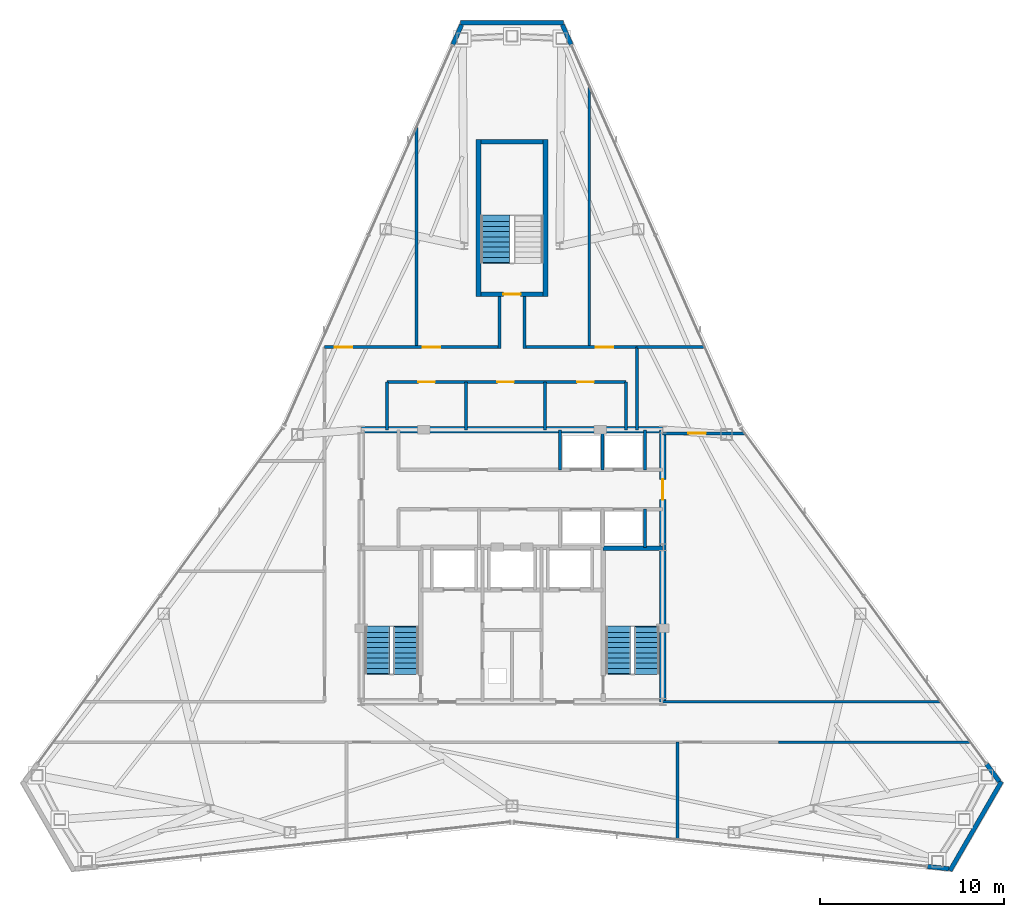
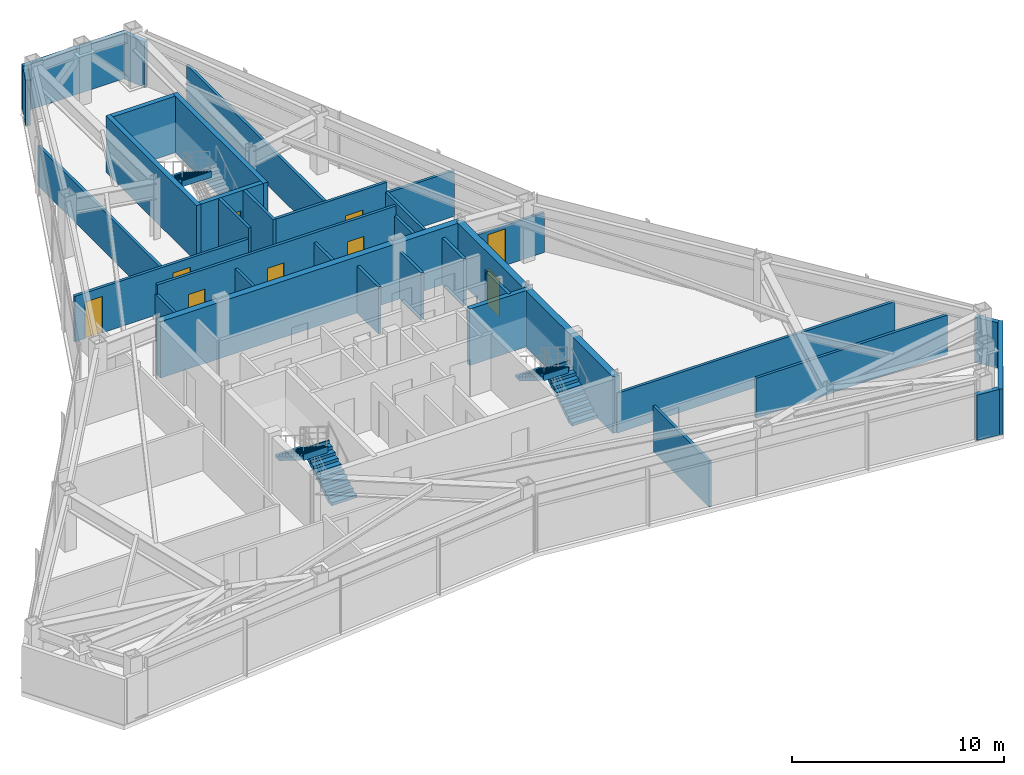
# One storey, part 10 of 12: 34 walls, 9 doors, 5 stair flights, 9 openings, 3 elements without a shape of their own.
"""IFC4 building model written with IfcOpenShell, lengths in metres."""

from ifc_helpers import new_model, si_unit, direction, frame, frame_2d, origin, place, context, subcontext, project, spatial, polyline, rectangle, outline, extrude, material, layer, layer_set, type_object, element, fill, aggregate, save


model = new_model("IFC4")

# Units and contexts
model_context = context("Model", 3, precision=1e-05, world=origin(), true_north=direction((0.0, 1.0)))
body_context = subcontext(model_context, "Body", "Model", "MODEL_VIEW")
ifc_project = project(units=[si_unit("LENGTHUNIT", "METRE"), si_unit("AREAUNIT", "SQUARE_METRE"), si_unit("VOLUMEUNIT", "CUBIC_METRE"), si_unit("PLANEANGLEUNIT", "RADIAN"), si_unit("MASSUNIT", "GRAM", prefix="KILO")], contexts=[model_context])

# Site, building, storey
site_placement = place(None, origin())
site = spatial("IfcSite", under=ifc_project, at=site_placement, CompositionType="ELEMENT")
building_placement = place(site_placement, origin())
building = spatial("IfcBuilding", under=site, at=building_placement, Name="Varakhsha Concourse Tower", CompositionType="ELEMENT")
storey_placement = place(building_placement, frame((0.0, 0.0, 269.0)))
storey = spatial("IfcBuildingStorey", under=building, at=storey_placement, Name="L76", CompositionType="ELEMENT", Elevation=269.0)

# Wall
ifc_material_1 = material(Name="Concrete fc 65 MPa", Category="concrete")
ifc_layer_1 = layer(ifc_material_1, 0.35009765625, Name="WL-CORE-350")
ifc_layer_set_1 = layer_set([ifc_layer_1], Name="Concrete fc 65 MPa")
wall_type_1 = type_object("IfcWallType", Name="WL-CORE-350", PredefinedType="SHEAR", material=ifc_layer_set_1)
wall_1_placement = place(storey_placement, frame((31.800048828125, 31.199951171875, 0.0), z_axis=(0.0, 0.0, 1.0), x_axis=(1.0, 0.0, 0.0)))
element("IfcWall", 1, at=wall_1_placement, inside=storey, type_object=wall_type_1, Name="L76 Wall CWALL-N-L76", PredefinedType="SHEAR", context=body_context, shape_type="SweptSolid", body=[
    extrude(rectangle(XDim=16.39990234375, YDim=0.35009765625, at=frame_2d((8.199951171875, 0.0))), origin(), (0.0, 0.0, 1.0), 3.25),
])

# Wall, opening, door
wall_2_placement = place(storey_placement, frame((48.199951171875, 16.39990234375, 0.0), z_axis=(0.0, 0.0, 1.0), x_axis=(0.0, 1.0, 0.0)))
wall_2 = element("IfcWall", 2, at=wall_2_placement, inside=storey, type_object=wall_type_1, Name="L76 Wall CWALL-E-L76", PredefinedType="SHEAR", context=body_context, shape_type="SweptSolid", body=[
    extrude(rectangle(XDim=14.800048828125, YDim=0.35009765625, at=frame_2d((7.39990234375, 0.0))), origin(), (0.0, 0.0, 1.0), 3.25),
])
opening_1_placement = place(wall_2_placement, frame((11.0, 0.0, 0.0)))
opening_1 = element("IfcOpeningElement", 3, at=opening_1_placement, cuts=wall_2, Name="Opening DL-01", PredefinedType="OPENING", context=body_context, shape_type="SweptSolid", body=[
    extrude(rectangle(XDim=1.10009765625, YDim=2.14990234375, at=frame_2d((0.550048828125, 1.074951171875))), frame((0.0, 0.18505859375, 0.0), z_axis=(0.0, -1.0, 0.0), x_axis=(1.0, 0.0, 0.0)), (0.0, 0.0, 1.0), 0.3701171875),
])
ifc_material_2 = material(Name="Anodised Bronze Architectural Aluminium AA 6063-T6", Category="aluminium")
door_type_1 = type_object("IfcDoorType", Name="DR-LOB-1100", OperationType="NOTDEFINED", PredefinedType="DOOR", material=ifc_material_2)
door_1_placement = place(opening_1_placement, origin())
door_1 = element("IfcDoor", 4, at=door_1_placement, inside=storey, type_object=door_type_1, Name="L76 Lift Lobby East Concourse Door", OperationType="SINGLE_SWING_RIGHT", OverallHeight=2.14990234375, OverallWidth=1.10009765625, PredefinedType="DOOR", context=body_context, shape_type="SweptSolid", body=[
    extrude(rectangle(XDim=1.10009765625, YDim=2.14990234375, at=frame_2d((0.550048828125, 1.074951171875))), frame((0.0, 0.02490234375, 0.0), z_axis=(0.0, -1.0, 0.0), x_axis=(1.0, 0.0, 0.0)), (0.0, 0.0, 1.0), 0.050048828125),
])
fill(opening_1, door_1)

# Walls
ifc_material_3 = material(Name="Concrete fc 45 MPa", Category="concrete")
ifc_layer_2 = layer(ifc_material_3, 0.239990234375, Name="WL-EXT-CRN-240")
ifc_layer_set_2 = layer_set([ifc_layer_2], Name="Concrete fc 45 MPa")
wall_type_2 = type_object("IfcWallType", Name="WL-EXT-CRN-240", PredefinedType="SHEAR", material=ifc_layer_set_2)
wall_3_placement = place(storey_placement, frame((37.199951171875, 53.3369140625, 0.0), z_axis=(0.0, 0.0, 1.0), x_axis=(1.0, 0.0, 0.0)))
element("IfcWall", 5, at=wall_3_placement, inside=storey, type_object=wall_type_2, Name="L76 Chamfer Wind-Corner Insulated Wall F1", PredefinedType="SHEAR", context=body_context, shape_type="SweptSolid", body=[
    extrude(rectangle(XDim=5.60009765625, YDim=0.239990234375, at=frame_2d((2.800048828125, 0.0))), origin(), (0.0, 0.0, 1.0), 2.623046875),
])
wall_4_placement = place(storey_placement, frame((37.25732421875, 53.231201171875, 0.0), z_axis=(0.0, 0.0, 1.0), x_axis=(-0.404139440479, -0.914697388566, 0.0)))
element("IfcWall", 6, at=wall_4_placement, inside=storey, type_object=wall_type_2, Name="L76 Wind-Corner Shoulder Wall F2", PredefinedType="SHEAR", context=body_context, shape_type="SweptSolid", body=[
    extrude(rectangle(XDim=1.167724609375, YDim=0.239990234375, at=frame_2d((0.583984375, 0.0))), origin(), (0.0, 0.0, 1.0), 2.623046875),
])
wall_5_placement = place(storey_placement, frame((62.609619140625, 7.4345703125, 0.0), z_axis=(0.0, 0.0, 1.0), x_axis=(0.994228168344, -0.107286295827, 0.0)))
element("IfcWall", 7, at=wall_5_placement, inside=storey, type_object=wall_type_2, Name="L76 Wind-Corner Shoulder Wall F6", PredefinedType="SHEAR", context=body_context, shape_type="SweptSolid", body=[
    extrude(rectangle(XDim=1.16748046875, YDim=0.239990234375, at=frame_2d((0.583740234375, 0.0))), origin(), (0.0, 0.0, 1.0), 2.623046875),
])
wall_6_placement = place(storey_placement, frame((66.63330078125, 12.056396484375, 0.0), z_axis=(0.0, 0.0, 1.0), x_axis=(-0.49999793692, -0.866026594901, 0.0)))
element("IfcWall", 8, at=wall_6_placement, inside=storey, type_object=wall_type_2, Name="L76 Chamfer Wind-Corner Insulated Wall F7", PredefinedType="SHEAR", context=body_context, shape_type="SweptSolid", body=[
    extrude(rectangle(XDim=5.60009765625, YDim=0.239990234375, at=frame_2d((2.800048828125, 0.0))), origin(), (0.0, 0.0, 1.0), 2.623046875),
])
wall_7_placement = place(storey_placement, frame((66.512939453125, 12.0595703125, 0.0), z_axis=(0.0, 0.0, 1.0), x_axis=(-0.589948424207, 0.807440930827, 0.0)))
element("IfcWall", 9, at=wall_7_placement, inside=storey, type_object=wall_type_2, Name="L76 Wind-Corner Shoulder Wall F8", PredefinedType="SHEAR", context=body_context, shape_type="SweptSolid", body=[
    extrude(rectangle(XDim=1.16748046875, YDim=0.239990234375, at=frame_2d((0.583740234375, 0.0))), origin(), (0.0, 0.0, 1.0), 2.623046875),
])
wall_8_placement = place(storey_placement, frame((43.214599609375, 52.1630859375, 0.0), z_axis=(0.0, 0.0, 1.0), x_axis=(-0.404139440479, 0.914697388566, 0.0)))
element("IfcWall", 10, at=wall_8_placement, inside=storey, type_object=wall_type_2, Name="L76 Wind-Corner Shoulder Wall F9", PredefinedType="SHEAR", context=body_context, shape_type="SweptSolid", body=[
    extrude(rectangle(XDim=1.167724609375, YDim=0.239990234375, at=frame_2d((0.583984375, 0.0))), origin(), (0.0, 0.0, 1.0), 2.623046875),
])

# Wall, openings, doors
ifc_material_4 = material(Name="Fire-Rated Type X Gypsum Partition Assembly", Category="gypsum")
ifc_layer_3 = layer(ifc_material_4, 0.14990234375, Name="WL-PART-150")
ifc_layer_set_3 = layer_set([ifc_layer_3], Name="Fire-Rated Type X Gypsum Partition Assembly")
wall_type_3 = type_object("IfcWallType", Name="WL-PART-150", PredefinedType="PARTITIONING", material=ifc_layer_set_3)
wall_9_placement = place(storey_placement, frame((33.199951171875, 33.800048828125, 0.0), z_axis=(0.0, 0.0, 1.0), x_axis=(1.0, 0.0, 0.0)))
wall_9 = element("IfcWall", 11, at=wall_9_placement, inside=storey, type_object=wall_type_3, Name="L76 Wall NBOH-N-L76", PredefinedType="PARTITIONING", context=body_context, shape_type="SweptSolid", body=[
    extrude(rectangle(XDim=13.0, YDim=0.14990234375, at=frame_2d((6.5, 0.0))), origin(), (0.0, 0.0, 1.0), 3.25),
])
opening_2_placement = place(wall_9_placement, frame((1.699951171875, 0.0, 0.0)))
opening_2 = element("IfcOpeningElement", 12, at=opening_2_placement, cuts=wall_9, Name="Opening DF-06", PredefinedType="OPENING", context=body_context, shape_type="SweptSolid", body=[
    extrude(rectangle(XDim=0.89990234375, YDim=2.10009765625, at=frame_2d((0.449951171875, 1.050048828125))), frame((0.0, 0.0849609375, 0.0), z_axis=(0.0, -1.0, 0.0), x_axis=(1.0, 0.0, 0.0)), (0.0, 0.0, 1.0), 0.169921875),
])
opening_3_placement = place(wall_9_placement, frame((6.0, 0.0, 0.0)))
opening_3 = element("IfcOpeningElement", 13, at=opening_3_placement, cuts=wall_9, Name="Opening DF-06", PredefinedType="OPENING", context=body_context, shape_type="SweptSolid", body=[
    extrude(rectangle(XDim=0.89990234375, YDim=2.10009765625, at=frame_2d((0.449951171875, 1.050048828125))), frame((0.0, 0.0849609375, 0.0), z_axis=(0.0, -1.0, 0.0), x_axis=(1.0, 0.0, 0.0)), (0.0, 0.0, 1.0), 0.169921875),
])
opening_4_placement = place(wall_9_placement, frame((10.35009765625, 0.0, 0.0)))
opening_4 = element("IfcOpeningElement", 14, at=opening_4_placement, cuts=wall_9, Name="Opening DF-06", PredefinedType="OPENING", context=body_context, shape_type="SweptSolid", body=[
    extrude(rectangle(XDim=0.89990234375, YDim=2.10009765625, at=frame_2d((0.449951171875, 1.050048828125))), frame((0.0, 0.0849609375, 0.0), z_axis=(0.0, -1.0, 0.0), x_axis=(1.0, 0.0, 0.0)), (0.0, 0.0, 1.0), 0.169921875),
])
ifc_material_5 = material(Name="Hollow Galvanised Steel Fire Door Assembly", Category="steel")
door_type_2 = type_object("IfcDoorType", Name="DR-FD60-900", OperationType="NOTDEFINED", PredefinedType="DOOR", material=ifc_material_5)
door_2_placement = place(opening_2_placement, origin())
door_2 = element("IfcDoor", 15, at=door_2_placement, inside=storey, type_object=door_type_2, Name="L76 Men Restroom WC Door", OperationType="SINGLE_SWING_LEFT", OverallHeight=2.10009765625, OverallWidth=0.89990234375, PredefinedType="DOOR", context=body_context, shape_type="SweptSolid", body=[
    extrude(rectangle(XDim=0.89990234375, YDim=2.10009765625, at=frame_2d((0.449951171875, 1.050048828125))), frame((0.0, 0.02490234375, 0.0), z_axis=(0.0, -1.0, 0.0), x_axis=(1.0, 0.0, 0.0)), (0.0, 0.0, 1.0), 0.050048828125),
])
fill(opening_2, door_2)
door_3_placement = place(opening_3_placement, origin())
door_3 = element("IfcDoor", 16, at=door_3_placement, inside=storey, type_object=door_type_2, Name="L76 Women Restroom WC Door", OperationType="SINGLE_SWING_RIGHT", OverallHeight=2.10009765625, OverallWidth=0.89990234375, PredefinedType="DOOR", context=body_context, shape_type="SweptSolid", body=[
    extrude(rectangle(XDim=0.89990234375, YDim=2.10009765625, at=frame_2d((0.449951171875, 1.050048828125))), frame((0.0, 0.02490234375, 0.0), z_axis=(0.0, -1.0, 0.0), x_axis=(1.0, 0.0, 0.0)), (0.0, 0.0, 1.0), 0.050048828125),
])
fill(opening_3, door_3)
door_4_placement = place(opening_4_placement, origin())
door_4 = element("IfcDoor", 17, at=door_4_placement, inside=storey, type_object=door_type_2, Name="L76 Accessible WC Door", OperationType="SINGLE_SWING_LEFT", OverallHeight=2.10009765625, OverallWidth=0.89990234375, PredefinedType="DOOR", context=body_context, shape_type="SweptSolid", body=[
    extrude(rectangle(XDim=0.89990234375, YDim=2.10009765625, at=frame_2d((0.449951171875, 1.050048828125))), frame((0.0, 0.02490234375, 0.0), z_axis=(0.0, -1.0, 0.0), x_axis=(1.0, 0.0, 0.0)), (0.0, 0.0, 1.0), 0.050048828125),
])
fill(opening_4, door_4)

# Walls
for number, where, z_axis, x_axis, name in (
    (18, (33.199951171875, 31.199951171875, 0.0), (0.0, 0.0, 1.0), (0.0, 1.0, 0.0), "L76 Wall NBOH-W-L76"),
    (19, (46.199951171875, 31.199951171875, 0.0), (0.0, 0.0, 1.0), (0.0, 1.0, 0.0), "L76 Wall NBOH-E-L76"),
    (20, (37.5, 31.199951171875, 0.0), (0.0, 0.0, 1.0), (0.0, 1.0, 0.0), "L76 Wall NBOH-D1-L76"),
    (21, (41.800048828125, 31.199951171875, 0.0), (0.0, 0.0, 1.0), (0.0, 1.0, 0.0), "L76 Wall NBOH-D2-L76"),
):
    element("IfcWall", number, at=place(storey_placement, frame(where, z_axis=z_axis, x_axis=x_axis)), inside=storey, type_object=wall_type_3, Name=name, PredefinedType="PARTITIONING", context=body_context, shape_type="SweptSolid", body=[
        extrude(rectangle(XDim=2.60009765625, YDim=0.14990234375, at=frame_2d((1.300048828125, 0.0))), origin(), (0.0, 0.0, 1.0), 2.705078125),
    ])
wall_10_placement = place(storey_placement, frame((54.5, 14.199951171875, 0.0), z_axis=(0.0, 0.0, 1.0), x_axis=(1.0, 0.0, 0.0)))
element("IfcWall", 22, at=wall_10_placement, inside=storey, type_object=wall_type_3, Name="L76 Wall CRW-SGAL-SE-L76", PredefinedType="PARTITIONING", context=body_context, shape_type="SweptSolid", body=[
    extrude(rectangle(XDim=10.44287109375, YDim=0.14990234375, at=frame_2d((5.221435546875, 0.0))), origin(), (0.0, 0.0, 1.0), 2.2919921875),
])
wall_11_placement = place(storey_placement, frame((48.199951171875, 16.39990234375, 0.0), z_axis=(0.0, 0.0, 1.0), x_axis=(1.0, 0.0, 0.0)))
element("IfcWall", 23, at=wall_11_placement, inside=storey, type_object=wall_type_3, Name="L76 Wall CRW-SGAL-NE-L76", PredefinedType="PARTITIONING", context=body_context, shape_type="SweptSolid", body=[
    extrude(rectangle(XDim=15.135498046875, YDim=0.14990234375, at=frame_2d((7.56787109375, 0.0))), origin(), (0.0, 0.0, 1.0), 2.2919921875),
])

# Wall, openings, doors
wall_12_placement = place(storey_placement, frame((29.800048828125, 35.699951171875, 0.0), z_axis=(0.0, 0.0, 1.0), x_axis=(1.0, 0.0, 0.0)))
wall_12 = element("IfcWall", 24, at=wall_12_placement, inside=storey, type_object=wall_type_3, Name="L76 Wall CRW-N-L76", PredefinedType="PARTITIONING", context=body_context, shape_type="SweptSolid", body=[
    extrude(rectangle(XDim=9.449951171875, YDim=0.14990234375, at=frame_2d((4.72509765625, 0.0))), origin(), (0.0, 0.0, 1.0), 2.6279296875),
])
opening_5_placement = place(wall_12_placement, frame((0.550048828125, 0.0, 0.0)))
opening_5 = element("IfcOpeningElement", 25, at=opening_5_placement, cuts=wall_12, Name="Opening DF-05", PredefinedType="OPENING", context=body_context, shape_type="SweptSolid", body=[
    extrude(rectangle(XDim=0.949951171875, YDim=2.10009765625, at=frame_2d((0.47509765625, 1.050048828125))), frame((0.0, 0.0849609375, 0.0), z_axis=(0.0, -1.0, 0.0), x_axis=(1.0, 0.0, 0.0)), (0.0, 0.0, 1.0), 0.169921875),
])
opening_6_placement = place(wall_12_placement, frame((5.35009765625, 0.0, 0.0)))
opening_6 = element("IfcOpeningElement", 26, at=opening_6_placement, cuts=wall_12, Name="Opening DF-05", PredefinedType="OPENING", context=body_context, shape_type="SweptSolid", body=[
    extrude(rectangle(XDim=0.949951171875, YDim=2.10009765625, at=frame_2d((0.47509765625, 1.050048828125))), frame((0.0, 0.0849609375, 0.0), z_axis=(0.0, -1.0, 0.0), x_axis=(1.0, 0.0, 0.0)), (0.0, 0.0, 1.0), 0.169921875),
])
door_type_3 = type_object("IfcDoorType", Name="DR-FD60-950", OperationType="NOTDEFINED", PredefinedType="DOOR", material=ifc_material_5)
door_5_placement = place(opening_5_placement, origin())
door_5 = element("IfcDoor", 27, at=door_5_placement, inside=storey, type_object=door_type_3, Name="L76 Mountain View Deposition Conference Room L76-N1 Door", OperationType="SINGLE_SWING_LEFT", OverallHeight=2.10009765625, OverallWidth=0.949951171875, PredefinedType="DOOR", context=body_context, shape_type="SweptSolid", body=[
    extrude(rectangle(XDim=0.949951171875, YDim=2.10009765625, at=frame_2d((0.47509765625, 1.050048828125))), frame((0.0, 0.02490234375, 0.0), z_axis=(0.0, -1.0, 0.0), x_axis=(1.0, 0.0, 0.0)), (0.0, 0.0, 1.0), 0.050048828125),
])
fill(opening_5, door_5)
door_6_placement = place(opening_6_placement, origin())
door_6 = element("IfcDoor", 28, at=door_6_placement, inside=storey, type_object=door_type_3, Name="L76 North Senior Partner Chamber L76-N2 Door", OperationType="SINGLE_SWING_RIGHT", OverallHeight=2.10009765625, OverallWidth=0.949951171875, PredefinedType="DOOR", context=body_context, shape_type="SweptSolid", body=[
    extrude(rectangle(XDim=0.949951171875, YDim=2.10009765625, at=frame_2d((0.47509765625, 1.050048828125))), frame((0.0, 0.02490234375, 0.0), z_axis=(0.0, -1.0, 0.0), x_axis=(1.0, 0.0, 0.0)), (0.0, 0.0, 1.0), 0.050048828125),
])
fill(opening_6, door_6)

# Wall, opening, door
wall_13_placement = place(storey_placement, frame((40.75, 35.699951171875, 0.0), z_axis=(0.0, 0.0, 1.0), x_axis=(1.0, 0.0, 0.0)))
wall_13 = element("IfcWall", 29, at=wall_13_placement, inside=storey, type_object=wall_type_3, Name="L76 Wall CRW-N-L76-B", PredefinedType="PARTITIONING", context=body_context, shape_type="SweptSolid", body=[
    extrude(rectangle(XDim=6.050048828125, YDim=0.14990234375, at=frame_2d((3.02490234375, 0.0))), origin(), (0.0, 0.0, 1.0), 3.25),
])
opening_7_placement = place(wall_13_placement, frame((3.800048828125, 0.0, 0.0)))
opening_7 = element("IfcOpeningElement", 30, at=opening_7_placement, cuts=wall_13, Name="Opening DF-05", PredefinedType="OPENING", context=body_context, shape_type="SweptSolid", body=[
    extrude(rectangle(XDim=0.949951171875, YDim=2.10009765625, at=frame_2d((0.47509765625, 1.050048828125))), frame((0.0, 0.0849609375, 0.0), z_axis=(0.0, -1.0, 0.0), x_axis=(1.0, 0.0, 0.0)), (0.0, 0.0, 1.0), 0.169921875),
])
door_7_placement = place(opening_7_placement, origin())
door_7 = element("IfcDoor", 31, at=door_7_placement, inside=storey, type_object=door_type_3, Name="L76 North Senior Partner Chamber L76-N3 Door", OperationType="SINGLE_SWING_LEFT", OverallHeight=2.10009765625, OverallWidth=0.949951171875, PredefinedType="DOOR", context=body_context, shape_type="SweptSolid", body=[
    extrude(rectangle(XDim=0.949951171875, YDim=2.10009765625, at=frame_2d((0.47509765625, 1.050048828125))), frame((0.0, 0.02490234375, 0.0), z_axis=(0.0, -1.0, 0.0), x_axis=(1.0, 0.0, 0.0)), (0.0, 0.0, 1.0), 0.050048828125),
])
fill(opening_7, door_7)

# Walls
wall_14_placement = place(storey_placement, frame((46.800048828125, 31.199951171875, 0.0), z_axis=(0.0, 0.0, 1.0), x_axis=(0.0, 1.0, 0.0)))
element("IfcWall", 32, at=wall_14_placement, inside=storey, type_object=wall_type_3, Name="L76 Wall CRW-NE-L76", PredefinedType="PARTITIONING", context=body_context, shape_type="SweptSolid", body=[
    extrude(rectangle(XDim=4.5, YDim=0.14990234375, at=frame_2d((2.25, 0.0))), origin(), (0.0, 0.0, 1.0), 2.705078125),
])
wall_15_placement = place(storey_placement, frame((49.0, 8.906982421875, 0.0), z_axis=(0.0, 0.0, 1.0), x_axis=(0.0, 1.0, 0.0)))
element("IfcWall", 33, at=wall_15_placement, inside=storey, type_object=wall_type_3, Name="L76 Wall ODIV-S2-L76", PredefinedType="PARTITIONING", context=body_context, shape_type="SweptSolid", body=[
    extrude(rectangle(XDim=5.29296875, YDim=0.14990234375, at=frame_2d((2.646484375, 0.0))), origin(), (0.0, 0.0, 1.0), 2.6279296875),
])
wall_16_placement = place(storey_placement, frame((46.800048828125, 35.699951171875, 0.0), z_axis=(0.0, 0.0, 1.0), x_axis=(1.0, 0.0, 0.0)))
element("IfcWall", 34, at=wall_16_placement, inside=storey, type_object=wall_type_3, Name="L76 Wall ODIV-EBN-L76", PredefinedType="PARTITIONING", context=body_context, shape_type="SweptSolid", body=[
    extrude(rectangle(XDim=3.685791015625, YDim=0.14990234375, at=frame_2d((1.8427734375, 0.0))), origin(), (0.0, 0.0, 1.0), 2.6279296875),
])

# Wall, opening, door
wall_17_placement = place(storey_placement, frame((48.199951171875, 31.0, 0.0), z_axis=(0.0, 0.0, 1.0), x_axis=(1.0, 0.0, 0.0)))
wall_17 = element("IfcWall", 35, at=wall_17_placement, inside=storey, type_object=wall_type_3, Name="L76 Wall ODIV-E1-L76", PredefinedType="PARTITIONING", context=body_context, shape_type="SweptSolid", body=[
    extrude(rectangle(XDim=4.467529296875, YDim=0.14990234375, at=frame_2d((2.23388671875, 0.0))), origin(), (0.0, 0.0, 1.0), 2.2919921875),
])
opening_8_placement = place(wall_17_placement, frame((1.39990234375, 0.0, 0.0)))
opening_8 = element("IfcOpeningElement", 36, at=opening_8_placement, cuts=wall_17, Name="Opening DF-05", PredefinedType="OPENING", context=body_context, shape_type="SweptSolid", body=[
    extrude(rectangle(XDim=0.949951171875, YDim=2.10009765625, at=frame_2d((0.47509765625, 1.050048828125))), frame((0.0, 0.0849609375, 0.0), z_axis=(0.0, -1.0, 0.0), x_axis=(1.0, 0.0, 0.0)), (0.0, 0.0, 1.0), 0.169921875),
])
door_8_placement = place(opening_8_placement, origin())
door_8 = element("IfcDoor", 37, at=door_8_placement, inside=storey, type_object=door_type_3, Name="L76 East Suite Interconnect Door 1", OperationType="SINGLE_SWING_LEFT", OverallHeight=2.10009765625, OverallWidth=0.949951171875, PredefinedType="DOOR", context=body_context, shape_type="SweptSolid", body=[
    extrude(rectangle(XDim=0.949951171875, YDim=2.10009765625, at=frame_2d((0.47509765625, 1.050048828125))), frame((0.0, 0.02490234375, 0.0), z_axis=(0.0, -1.0, 0.0), x_axis=(1.0, 0.0, 0.0)), (0.0, 0.0, 1.0), 0.050048828125),
])
fill(opening_8, door_8)

# Walls
wall_18_placement = place(storey_placement, frame((34.800048828125, 35.699951171875, 0.0), z_axis=(0.0, 0.0, 1.0), x_axis=(0.0, 1.0, 0.0)))
element("IfcWall", 38, at=wall_18_placement, inside=storey, type_object=wall_type_3, Name="L76 Wall ODIV-N1-L76", PredefinedType="PARTITIONING", context=body_context, shape_type="SweptSolid", body=[
    extrude(rectangle(XDim=11.958984375, YDim=0.14990234375, at=frame_2d((5.9794921875, 0.0))), origin(), (0.0, 0.0, 1.0), 2.2919921875),
])
wall_19_placement = place(storey_placement, frame((44.199951171875, 35.699951171875, 0.0), z_axis=(0.0, 0.0, 1.0), x_axis=(0.0, 1.0, 0.0)))
element("IfcWall", 39, at=wall_19_placement, inside=storey, type_object=wall_type_3, Name="L76 Wall ODIV-N2-L76", PredefinedType="PARTITIONING", context=body_context, shape_type="SweptSolid", body=[
    extrude(rectangle(XDim=14.221435546875, YDim=0.14990234375, at=frame_2d((7.11083984375, 0.0))), origin(), (0.0, 0.0, 1.0), 2.2919921875),
])
for number, where, z_axis, x_axis, name in (
    (40, (39.324951171875, 35.625, 0.0), (0.0, 0.0, 1.0), (0.0, 1.0, 0.0), "L76 Wall STUB-W-L76"),
    (41, (40.675048828125, 35.625, 0.0), (0.0, 0.0, 1.0), (0.0, 1.0, 0.0), "L76 Wall STUB-E-L76"),
):
    element("IfcWall", number, at=place(storey_placement, frame(where, z_axis=z_axis, x_axis=x_axis)), inside=storey, type_object=wall_type_3, Name=name, PredefinedType="PARTITIONING", context=body_context, shape_type="SweptSolid", body=[
        extrude(rectangle(XDim=2.824951171875, YDim=0.14990234375, at=frame_2d((1.41259765625, 0.0))), origin(), (0.0, 0.0, 1.0), 3.25),
    ])
ifc_layer_4 = layer(ifc_material_4, 0.199951171875, Name="WL-SHAFT-220")
ifc_layer_set_4 = layer_set([ifc_layer_4], Name="Fire-Rated Type X Gypsum Partition Assembly")
wall_type_4 = type_object("IfcWallType", Name="WL-SHAFT-220", PredefinedType="SOLIDWALL", material=ifc_layer_set_4)
for number, where, z_axis, x_axis, name in (
    (42, (42.60009765625, 29.02001953125, 0.0), (0.0, 0.0, 1.0), (0.0, 1.0, 0.0), "L76 Wall SHW-LF-P09-W-L76"),
    (43, (44.919921875, 29.02001953125, 0.0), (0.0, 0.0, 1.0), (0.0, 1.0, 0.0), "L76 Wall SHW-LF-P09-E-L76"),
    (44, (47.239990234375, 29.02001953125, 0.0), (0.0, 0.0, 1.0), (0.0, 1.0, 0.0), "L76 Wall SHW-LF-P10-E-L76"),
):
    element("IfcWall", number, at=place(storey_placement, frame(where, z_axis=z_axis, x_axis=x_axis)), inside=storey, type_object=wall_type_4, Name=name, PredefinedType="SOLIDWALL", context=body_context, shape_type="SweptSolid", body=[
        extrude(rectangle(XDim=2.179931640625, YDim=0.159912109375, at=frame_2d((1.08984375, 0.0))), origin(), (0.0, 0.0, 1.0), 2.705078125),
    ])
wall_20_placement = place(storey_placement, frame((47.239990234375, 24.800048828125, 0.0), z_axis=(0.0, 0.0, 1.0), x_axis=(0.0, 1.0, 0.0)))
element("IfcWall", 45, at=wall_20_placement, inside=storey, type_object=wall_type_4, Name="L76 Wall SHW-LF-P12-E-L76", PredefinedType="SOLIDWALL", context=body_context, shape_type="SweptSolid", body=[
    extrude(rectangle(XDim=2.079833984375, YDim=0.159912109375, at=frame_2d((1.0400390625, 0.0))), origin(), (0.0, 0.0, 1.0), 3.25),
])
ifc_layer_5 = layer(ifc_material_3, 0.25, Name="WL-STAIR-250")
ifc_layer_set_5 = layer_set([ifc_layer_5], Name="Concrete fc 45 MPa")
wall_type_5 = type_object("IfcWallType", Name="WL-STAIR-250", PredefinedType="SHEAR", material=ifc_layer_set_5)
wall_21_placement = place(storey_placement, frame((44.955078125, 24.7548828125, 0.0), z_axis=(0.0, 0.0, 1.0), x_axis=(1.0, 0.0, 0.0)))
element("IfcWall", 46, at=wall_21_placement, inside=storey, type_object=wall_type_5, Name="L76 Wall SWALL-ST2-N-L76", PredefinedType="SHEAR", context=body_context, shape_type="SweptSolid", body=[
    extrude(rectangle(XDim=3.244873046875, YDim=0.25, at=frame_2d((1.62255859375, 0.0))), origin(), (0.0, 0.0, 1.0), 3.25),
])
for number, where, z_axis, x_axis, name in (
    (47, (38.175048828125, 38.449951171875, 0.0), (0.0, 0.0, 1.0), (0.0, 1.0, 0.0), "L76 Wall SWALL-ST5-W-L76"),
    (48, (41.824951171875, 38.449951171875, 0.0), (0.0, 0.0, 1.0), (0.0, 1.0, 0.0), "L76 Wall SWALL-ST5-E-L76"),
):
    element("IfcWall", number, at=place(storey_placement, frame(where, z_axis=z_axis, x_axis=x_axis)), inside=storey, type_object=wall_type_5, Name=name, PredefinedType="SHEAR", context=body_context, shape_type="SweptSolid", body=[
        extrude(rectangle(XDim=8.550048828125, YDim=0.25, at=frame_2d((4.27490234375, 0.0))), origin(), (0.0, 0.0, 1.0), 3.25),
    ])

# Wall, opening, door
wall_22_placement = place(storey_placement, frame((38.300048828125, 38.574951171875, 0.0), z_axis=(0.0, 0.0, 1.0), x_axis=(1.0, 0.0, 0.0)))
wall_22 = element("IfcWall", 49, at=wall_22_placement, inside=storey, type_object=wall_type_5, Name="L76 Wall SWALL-ST5-S-L76", PredefinedType="SHEAR", context=body_context, shape_type="SweptSolid", body=[
    extrude(rectangle(XDim=3.39990234375, YDim=0.25, at=frame_2d((1.699951171875, 0.0))), origin(), (0.0, 0.0, 1.0), 3.25),
])
opening_9_placement = place(wall_22_placement, frame((1.22509765625, 0.0, 0.0)))
opening_9 = element("IfcOpeningElement", 50, at=opening_9_placement, cuts=wall_22, Name="Opening DF-03", PredefinedType="OPENING", context=body_context, shape_type="SweptSolid", body=[
    extrude(rectangle(XDim=0.949951171875, YDim=2.10009765625, at=frame_2d((0.47509765625, 1.050048828125))), frame((0.0, 0.135009765625, 0.0), z_axis=(0.0, -1.0, 0.0), x_axis=(1.0, 0.0, 0.0)), (0.0, 0.0, 1.0), 0.27001953125),
])
door_type_4 = type_object("IfcDoorType", Name="DR-FD90-950", OperationType="NOTDEFINED", PredefinedType="DOOR", material=ifc_material_5)
door_9_placement = place(opening_9_placement, origin())
door_9 = element("IfcDoor", 51, at=door_9_placement, inside=storey, type_object=door_type_4, Name="L76 Stair ST5 Fire Door", OperationType="SINGLE_SWING_RIGHT", OverallHeight=2.10009765625, OverallWidth=0.949951171875, PredefinedType="DOOR", context=body_context, shape_type="SweptSolid", body=[
    extrude(rectangle(XDim=0.949951171875, YDim=2.10009765625, at=frame_2d((0.47509765625, 1.050048828125))), frame((0.0, 0.02490234375, 0.0), z_axis=(0.0, -1.0, 0.0), x_axis=(1.0, 0.0, 0.0)), (0.0, 0.0, 1.0), 0.050048828125),
])
fill(opening_9, door_9)

# Wall
wall_23_placement = place(storey_placement, frame((38.300048828125, 46.875, 0.0), z_axis=(0.0, 0.0, 1.0), x_axis=(1.0, 0.0, 0.0)))
element("IfcWall", 52, at=wall_23_placement, inside=storey, type_object=wall_type_5, Name="L76 Wall SWALL-ST5-N-L76", PredefinedType="SHEAR", context=body_context, shape_type="SweptSolid", body=[
    extrude(rectangle(XDim=3.39990234375, YDim=0.25, at=frame_2d((1.699951171875, 0.0))), origin(), (0.0, 0.0, 1.0), 3.25),
])

# Stair, stair flights
stair_type_1 = type_object("IfcStairType", Name="ST-DOGLEG-1360", PredefinedType="HALF_TURN_STAIR", material=ifc_material_3)
stair_1_placement = place(storey_placement, origin())
stair_1 = element("IfcStair", 53, at=stair_1_placement, inside=storey, type_object=stair_type_1, Name="L76 Protected Exit Stair ST1", PredefinedType="HALF_TURN_STAIR")
stair_flight_type_1 = type_object("IfcStairFlightType", Name="STF-1360-R1750", PredefinedType="STRAIGHT", material=ifc_material_3)
stair_flight_1_placement = place(storey_placement, frame((34.239990234375, 17.93994140625, 0.0), z_axis=(0.0, 0.0, 1.0), x_axis=(0.0, 1.0, 0.0)))
stair_flight_1 = element("IfcStairFlight", 54, at=stair_flight_1_placement, type_object=stair_flight_type_1, Name="ST1 flight 1", NumberOfRisers=10, NumberOfTreads=9, PredefinedType="STRAIGHT", RiserHeight=0.175, TreadLength=0.28, context=body_context, shape_type="SweptSolid", body=[
    extrude(outline(polyline([(-0.06005859375, 0.0), (-0.06005859375, 0.175048828125), (0.0, 0.175048828125), (0.280029296875, 0.175048828125), (0.280029296875, 0.35009765625), (0.56005859375, 0.35009765625), (0.56005859375, 0.52490234375), (0.840087890625, 0.52490234375), (0.840087890625, 0.699951171875), (1.1201171875, 0.699951171875), (1.1201171875, 0.875), (1.39990234375, 0.875), (1.39990234375, 1.050048828125), (1.679931640625, 1.050048828125), (1.679931640625, 1.22509765625), (1.9599609375, 1.22509765625), (1.9599609375, 1.39990234375), (2.239990234375, 1.39990234375), (2.239990234375, 1.574951171875), (2.52001953125, 1.574951171875), (2.52001953125, 1.75), (2.580078125, 1.75), (2.580078125, 1.398193359375), (2.52001953125, 1.398193359375), (0.28271484375, 0.0), (-0.06005859375, 0.0)])), frame((0.0, 0.68017578125, 0.0), z_axis=(0.0, -1.0, 0.0), x_axis=(1.0, 0.0, 0.0)), (0.0, 0.0, 1.0), 1.360107421875),
])
stair_flight_2_placement = place(storey_placement, frame((32.679931640625, 20.4599609375, 1.75), z_axis=(0.0, 0.0, 1.0), x_axis=(0.0, -1.0, 0.0)))
stair_flight_2 = element("IfcStairFlight", 55, at=stair_flight_2_placement, type_object=stair_flight_type_1, Name="ST1 flight 2", NumberOfRisers=10, NumberOfTreads=9, PredefinedType="STRAIGHT", RiserHeight=0.175, TreadLength=0.28, context=body_context, shape_type="SweptSolid", body=[
    extrude(outline(polyline([(-0.06005859375, 0.0), (-0.06005859375, 0.175048828125), (0.0, 0.175048828125), (0.280029296875, 0.175048828125), (0.280029296875, 0.35009765625), (0.56005859375, 0.35009765625), (0.56005859375, 0.52490234375), (0.840087890625, 0.52490234375), (0.840087890625, 0.699951171875), (1.1201171875, 0.699951171875), (1.1201171875, 0.875), (1.39990234375, 0.875), (1.39990234375, 1.050048828125), (1.679931640625, 1.050048828125), (1.679931640625, 1.22509765625), (1.9599609375, 1.22509765625), (1.9599609375, 1.39990234375), (2.239990234375, 1.39990234375), (2.239990234375, 1.574951171875), (2.52001953125, 1.574951171875), (2.52001953125, 1.75), (2.580078125, 1.75), (2.580078125, 1.398193359375), (2.52001953125, 1.398193359375), (0.28271484375, 0.0), (-0.06005859375, 0.0)])), frame((0.0, 0.68017578125, 0.0), z_axis=(0.0, -1.0, 0.0), x_axis=(1.0, 0.0, 0.0)), (0.0, 0.0, 1.0), 1.360107421875),
])
aggregate(stair_1, [stair_flight_1, stair_flight_2])

stair_2_placement = place(storey_placement, origin())
stair_2 = element("IfcStair", 56, at=stair_2_placement, inside=storey, type_object=stair_type_1, Name="L76 Protected Exit Stair ST2", PredefinedType="HALF_TURN_STAIR")
stair_flight_3_placement = place(storey_placement, frame((47.340087890625, 17.93994140625, 0.0), z_axis=(0.0, 0.0, 1.0), x_axis=(0.0, 1.0, 0.0)))
stair_flight_3 = element("IfcStairFlight", 57, at=stair_flight_3_placement, type_object=stair_flight_type_1, Name="ST2 flight 1", NumberOfRisers=10, NumberOfTreads=9, PredefinedType="STRAIGHT", RiserHeight=0.175, TreadLength=0.28, context=body_context, shape_type="SweptSolid", body=[
    extrude(outline(polyline([(-0.06005859375, 0.0), (-0.06005859375, 0.175048828125), (0.0, 0.175048828125), (0.280029296875, 0.175048828125), (0.280029296875, 0.35009765625), (0.56005859375, 0.35009765625), (0.56005859375, 0.52490234375), (0.840087890625, 0.52490234375), (0.840087890625, 0.699951171875), (1.1201171875, 0.699951171875), (1.1201171875, 0.875), (1.39990234375, 0.875), (1.39990234375, 1.050048828125), (1.679931640625, 1.050048828125), (1.679931640625, 1.22509765625), (1.9599609375, 1.22509765625), (1.9599609375, 1.39990234375), (2.239990234375, 1.39990234375), (2.239990234375, 1.574951171875), (2.52001953125, 1.574951171875), (2.52001953125, 1.75), (2.580078125, 1.75), (2.580078125, 1.398193359375), (2.52001953125, 1.398193359375), (0.28271484375, 0.0), (-0.06005859375, 0.0)])), frame((0.0, 0.68017578125, 0.0), z_axis=(0.0, -1.0, 0.0), x_axis=(1.0, 0.0, 0.0)), (0.0, 0.0, 1.0), 1.360107421875),
])
stair_flight_4_placement = place(storey_placement, frame((45.780029296875, 20.4599609375, 1.75), z_axis=(0.0, 0.0, 1.0), x_axis=(0.0, -1.0, 0.0)))
stair_flight_4 = element("IfcStairFlight", 58, at=stair_flight_4_placement, type_object=stair_flight_type_1, Name="ST2 flight 2", NumberOfRisers=10, NumberOfTreads=9, PredefinedType="STRAIGHT", RiserHeight=0.175, TreadLength=0.28, context=body_context, shape_type="SweptSolid", body=[
    extrude(outline(polyline([(-0.06005859375, 0.0), (-0.06005859375, 0.175048828125), (0.0, 0.175048828125), (0.280029296875, 0.175048828125), (0.280029296875, 0.35009765625), (0.56005859375, 0.35009765625), (0.56005859375, 0.52490234375), (0.840087890625, 0.52490234375), (0.840087890625, 0.699951171875), (1.1201171875, 0.699951171875), (1.1201171875, 0.875), (1.39990234375, 0.875), (1.39990234375, 1.050048828125), (1.679931640625, 1.050048828125), (1.679931640625, 1.22509765625), (1.9599609375, 1.22509765625), (1.9599609375, 1.39990234375), (2.239990234375, 1.39990234375), (2.239990234375, 1.574951171875), (2.52001953125, 1.574951171875), (2.52001953125, 1.75), (2.580078125, 1.75), (2.580078125, 1.398193359375), (2.52001953125, 1.398193359375), (0.28271484375, 0.0), (-0.06005859375, 0.0)])), frame((0.0, 0.68017578125, 0.0), z_axis=(0.0, -1.0, 0.0), x_axis=(1.0, 0.0, 0.0)), (0.0, 0.0, 1.0), 1.360107421875),
])
aggregate(stair_2, [stair_flight_3, stair_flight_4])

# Stair, stair flight
stair_type_2 = type_object("IfcStairType", Name="ST-DOGLEG-1600", PredefinedType="HALF_TURN_STAIR", material=ifc_material_3)
stair_3_placement = place(storey_placement, origin())
stair_3 = element("IfcStair", 59, at=stair_3_placement, inside=storey, type_object=stair_type_2, Name="L76 Protected Exit Stair ST5", PredefinedType="HALF_TURN_STAIR")
stair_flight_type_2 = type_object("IfcStairFlightType", Name="STF-1600-R1750", PredefinedType="STRAIGHT", material=ifc_material_3)
stair_flight_5_placement = place(storey_placement, frame((39.10009765625, 42.820068359375, 1.75), z_axis=(0.0, 0.0, 1.0), x_axis=(0.0, -1.0, 0.0)))
stair_flight_5 = element("IfcStairFlight", 60, at=stair_flight_5_placement, type_object=stair_flight_type_2, Name="ST5 flight 2", NumberOfRisers=10, NumberOfTreads=9, PredefinedType="STRAIGHT", RiserHeight=0.175, TreadLength=0.28, context=body_context, shape_type="SweptSolid", body=[
    extrude(outline(polyline([(-0.06005859375, 0.0), (-0.06005859375, 0.175048828125), (0.0, 0.175048828125), (0.280029296875, 0.175048828125), (0.280029296875, 0.35009765625), (0.56005859375, 0.35009765625), (0.56005859375, 0.52490234375), (0.840087890625, 0.52490234375), (0.840087890625, 0.699951171875), (1.1201171875, 0.699951171875), (1.1201171875, 0.875), (1.39990234375, 0.875), (1.39990234375, 1.050048828125), (1.679931640625, 1.050048828125), (1.679931640625, 1.22509765625), (1.9599609375, 1.22509765625), (1.9599609375, 1.39990234375), (2.239990234375, 1.39990234375), (2.239990234375, 1.574951171875), (2.52001953125, 1.574951171875), (2.52001953125, 1.75), (2.580078125, 1.75), (2.580078125, 1.398193359375), (2.52001953125, 1.398193359375), (0.28271484375, 0.0), (-0.06005859375, 0.0)])), frame((0.0, 0.800048828125, 0.0), z_axis=(0.0, -1.0, 0.0), x_axis=(1.0, 0.0, 0.0)), (0.0, 0.0, 1.0), 1.60009765625),
])
aggregate(stair_3, [stair_flight_5])

save(model, "model.ifc")
